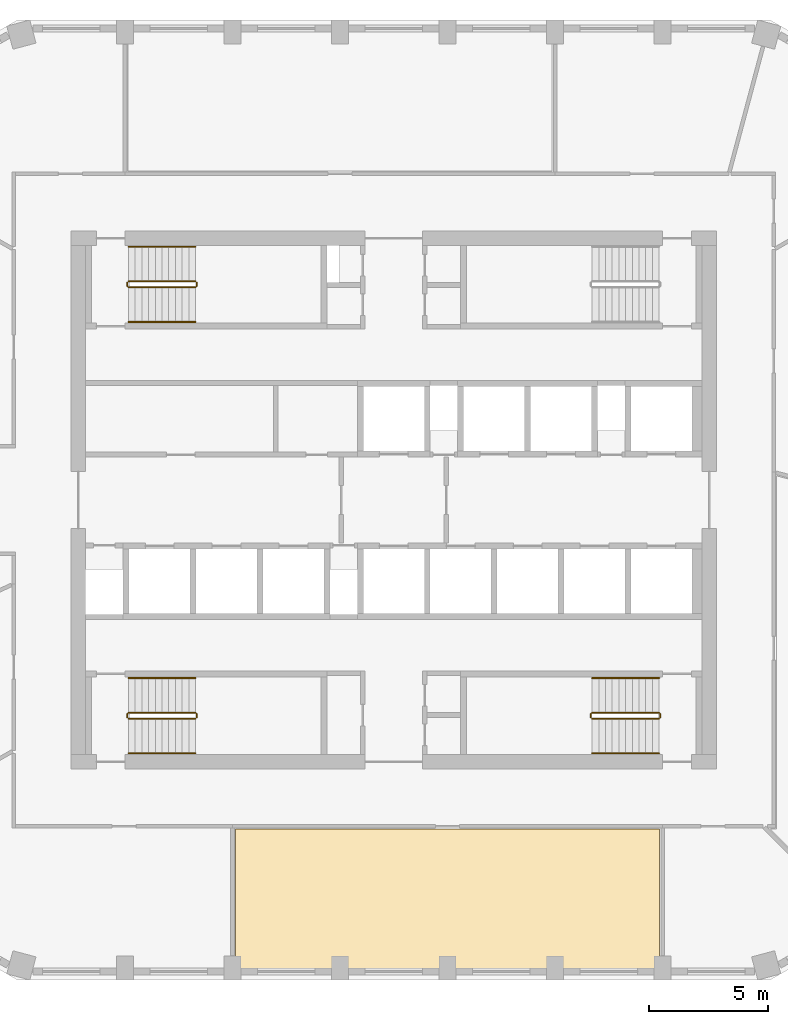
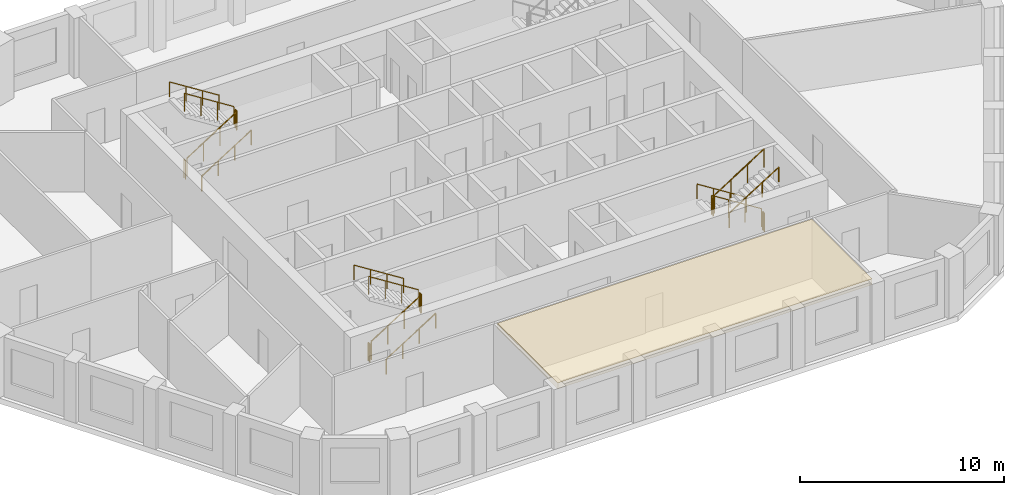
# One storey, part 8 of 10: 18 railings, 1 covering.
"""IFC4 building model written with IfcOpenShell, lengths in metres."""

from ifc_helpers import new_model, si_unit, direction, frame, origin, origin_2d, place, context, subcontext, project, spatial, polyline, circle, outline, extrude, material, layer, layer_set, type_object, element, save


model = new_model("IFC4")

# Units and contexts
model_context = context("Model", 3, precision=1e-05, world=origin(), true_north=direction((0.0, 1.0)))
body_context = subcontext(model_context, "Body", "Model", "MODEL_VIEW")
ifc_project = project(units=[si_unit("LENGTHUNIT", "METRE"), si_unit("AREAUNIT", "SQUARE_METRE"), si_unit("VOLUMEUNIT", "CUBIC_METRE"), si_unit("PLANEANGLEUNIT", "RADIAN"), si_unit("MASSUNIT", "GRAM", prefix="KILO")], contexts=[model_context])

# Site, building, storey
site_placement = place(None, origin())
site = spatial("IfcSite", under=ifc_project, at=site_placement, CompositionType="ELEMENT")
building_placement = place(site_placement, origin())
building = spatial("IfcBuilding", under=site, at=building_placement, Name="Dhurran Vertical Campus", CompositionType="ELEMENT")
storey_placement = place(building_placement, frame((0.0, 0.0, 239.10009765625)))
storey = spatial("IfcBuildingStorey", under=building, at=storey_placement, Name="L59", CompositionType="ELEMENT", Elevation=239.10009765625)

# Railings
ifc_material_1 = material(Name="Stainless steel balustrade", Category="steel")
railing_type_1 = type_object("IfcRailingType", Name="co-RL-GUARD-1100", PredefinedType="GUARDRAIL", material=ifc_material_1)
railing_1_placement = place(storey_placement, frame((-11.10009765625, 8.89990234375, 0.17724609375)))
element("IfcRailing", 1, at=railing_1_placement, inside=storey, type_object=railing_type_1, Name="L59 ST1 stair guard 1", PredefinedType="GUARDRAIL", context=body_context, shape_type="SweptSolid", body=[
    extrude(circle(Radius=0.02392578125, at=origin_2d()), frame((0.0, 0.0, 1.076171875), z_axis=(0.844908973607, 0.0, 0.534910110503), x_axis=(0.0, 1.0, 0.0)), (0.0, 0.0, 1.0), 3.31396484375),
    extrude(circle(Radius=0.02099609375, at=origin_2d()), origin(), (0.0, 0.0, 1.0), 1.052001953125),
    extrude(circle(Radius=0.02099609375, at=origin_2d()), frame((0.933349609375, 0.0, 0.5908203125)), (0.0, 0.0, 1.0), 1.052001953125),
    extrude(circle(Radius=0.02099609375, at=origin_2d()), frame((1.86669921875, 0.0, 1.181884765625)), (0.0, 0.0, 1.0), 1.052001953125),
    extrude(circle(Radius=0.02099609375, at=origin_2d()), frame((2.800048828125, 0.0, 1.772705078125)), (0.0, 0.0, 1.0), 1.052001953125),
])
railing_2_placement = place(storey_placement, frame((-8.25, 8.949951171875, 1.949951171875)))
element("IfcRailing", 2, at=railing_2_placement, inside=storey, type_object=railing_type_1, Name="L59 ST1 stair guard 2", PredefinedType="GUARDRAIL", context=body_context, shape_type="SweptSolid", body=[
    extrude(circle(Radius=0.02392578125, at=origin_2d()), frame((0.0, 0.0, 1.076171875), z_axis=(0.0, 1.0, 0.0), x_axis=(-1.0, 0.0, 0.0)), (0.0, 0.0, 1.0), 0.150146484375),
    extrude(circle(Radius=0.02099609375, at=origin_2d()), origin(), (0.0, 0.0, 1.0), 1.052001953125),
    extrude(circle(Radius=0.02099609375, at=origin_2d()), frame((0.0, 0.150146484375, 0.0)), (0.0, 0.0, 1.0), 1.052001953125),
])
railing_3_placement = place(storey_placement, frame((-8.300048828125, 9.14990234375, 2.127197265625)))
element("IfcRailing", 3, at=railing_3_placement, inside=storey, type_object=railing_type_1, Name="L59 ST1 stair guard 3", PredefinedType="GUARDRAIL", context=body_context, shape_type="SweptSolid", body=[
    extrude(circle(Radius=0.02392578125, at=origin_2d()), frame((0.0, 0.0, 1.076171875), z_axis=(-0.844908973607, 0.0, 0.534910110503), x_axis=(0.0, -1.0, 0.0)), (0.0, 0.0, 1.0), 3.31396484375),
    extrude(circle(Radius=0.02099609375, at=origin_2d()), origin(), (0.0, 0.0, 1.0), 1.052001953125),
    extrude(circle(Radius=0.02099609375, at=origin_2d()), frame((-0.933349609375, 0.0, 0.5908203125)), (0.0, 0.0, 1.0), 1.052001953125),
    extrude(circle(Radius=0.02099609375, at=origin_2d()), frame((-1.86669921875, 0.0, 1.181884765625)), (0.0, 0.0, 1.0), 1.052001953125),
    extrude(circle(Radius=0.02099609375, at=origin_2d()), frame((-2.800048828125, 0.0, 1.772705078125)), (0.0, 0.0, 1.0), 1.052001953125),
])
railing_4_placement = place(storey_placement, frame((-11.14990234375, 8.949951171875, 0.0)))
element("IfcRailing", 4, at=railing_4_placement, inside=storey, type_object=railing_type_1, Name="L59 ST1 stair guard 4", PredefinedType="GUARDRAIL", context=body_context, shape_type="SweptSolid", body=[
    extrude(circle(Radius=0.02392578125, at=origin_2d()), frame((0.0, 0.0, 1.076171875), z_axis=(0.0, 1.0, 0.0), x_axis=(-1.0, 0.0, 0.0)), (0.0, 0.0, 1.0), 0.150146484375),
    extrude(circle(Radius=0.02099609375, at=origin_2d()), origin(), (0.0, 0.0, 1.0), 1.052001953125),
    extrude(circle(Radius=0.02099609375, at=origin_2d()), frame((0.0, 0.150146484375, 0.0)), (0.0, 0.0, 1.0), 1.052001953125),
])
railing_5_placement = place(storey_placement, frame((-11.10009765625, -9.14990234375, 0.17724609375)))
element("IfcRailing", 5, at=railing_5_placement, inside=storey, type_object=railing_type_1, Name="L59 ST3 stair guard 1", PredefinedType="GUARDRAIL", context=body_context, shape_type="SweptSolid", body=[
    extrude(circle(Radius=0.02392578125, at=origin_2d()), frame((0.0, 0.0, 1.076171875), z_axis=(0.844908973607, 0.0, 0.534910110503), x_axis=(0.0, 1.0, 0.0)), (0.0, 0.0, 1.0), 3.31396484375),
    extrude(circle(Radius=0.02099609375, at=origin_2d()), origin(), (0.0, 0.0, 1.0), 1.052001953125),
    extrude(circle(Radius=0.02099609375, at=origin_2d()), frame((0.933349609375, 0.0, 0.5908203125)), (0.0, 0.0, 1.0), 1.052001953125),
    extrude(circle(Radius=0.02099609375, at=origin_2d()), frame((1.86669921875, 0.0, 1.181884765625)), (0.0, 0.0, 1.0), 1.052001953125),
    extrude(circle(Radius=0.02099609375, at=origin_2d()), frame((2.800048828125, 0.0, 1.772705078125)), (0.0, 0.0, 1.0), 1.052001953125),
])
railing_6_placement = place(storey_placement, frame((-8.25, -9.10009765625, 1.949951171875)))
element("IfcRailing", 6, at=railing_6_placement, inside=storey, type_object=railing_type_1, Name="L59 ST3 stair guard 2", PredefinedType="GUARDRAIL", context=body_context, shape_type="SweptSolid", body=[
    extrude(circle(Radius=0.02392578125, at=origin_2d()), frame((0.0, 0.0, 1.076171875), z_axis=(0.0, 1.0, 0.0), x_axis=(-1.0, 0.0, 0.0)), (0.0, 0.0, 1.0), 0.150146484375),
    extrude(circle(Radius=0.02099609375, at=origin_2d()), origin(), (0.0, 0.0, 1.0), 1.052001953125),
    extrude(circle(Radius=0.02099609375, at=origin_2d()), frame((0.0, 0.150146484375, 0.0)), (0.0, 0.0, 1.0), 1.052001953125),
])
railing_7_placement = place(storey_placement, frame((-8.300048828125, -8.89990234375, 2.127197265625)))
element("IfcRailing", 7, at=railing_7_placement, inside=storey, type_object=railing_type_1, Name="L59 ST3 stair guard 3", PredefinedType="GUARDRAIL", context=body_context, shape_type="SweptSolid", body=[
    extrude(circle(Radius=0.02392578125, at=origin_2d()), frame((0.0, 0.0, 1.076171875), z_axis=(-0.844908973607, 0.0, 0.534910110503), x_axis=(0.0, -1.0, 0.0)), (0.0, 0.0, 1.0), 3.31396484375),
    extrude(circle(Radius=0.02099609375, at=origin_2d()), origin(), (0.0, 0.0, 1.0), 1.052001953125),
    extrude(circle(Radius=0.02099609375, at=origin_2d()), frame((-0.933349609375, 0.0, 0.5908203125)), (0.0, 0.0, 1.0), 1.052001953125),
    extrude(circle(Radius=0.02099609375, at=origin_2d()), frame((-1.86669921875, 0.0, 1.181884765625)), (0.0, 0.0, 1.0), 1.052001953125),
    extrude(circle(Radius=0.02099609375, at=origin_2d()), frame((-2.800048828125, 0.0, 1.772705078125)), (0.0, 0.0, 1.0), 1.052001953125),
])
railing_8_placement = place(storey_placement, frame((-11.14990234375, -9.10009765625, 0.0)))
element("IfcRailing", 8, at=railing_8_placement, inside=storey, type_object=railing_type_1, Name="L59 ST3 stair guard 4", PredefinedType="GUARDRAIL", context=body_context, shape_type="SweptSolid", body=[
    extrude(circle(Radius=0.02392578125, at=origin_2d()), frame((0.0, 0.0, 1.076171875), z_axis=(0.0, 1.0, 0.0), x_axis=(-1.0, 0.0, 0.0)), (0.0, 0.0, 1.0), 0.150146484375),
    extrude(circle(Radius=0.02099609375, at=origin_2d()), origin(), (0.0, 0.0, 1.0), 1.052001953125),
    extrude(circle(Radius=0.02099609375, at=origin_2d()), frame((0.0, 0.150146484375, 0.0)), (0.0, 0.0, 1.0), 1.052001953125),
])
railing_9_placement = place(storey_placement, frame((11.10009765625, -8.89990234375, 0.17724609375)))
element("IfcRailing", 9, at=railing_9_placement, inside=storey, type_object=railing_type_1, Name="L59 ST4 stair guard 1", PredefinedType="GUARDRAIL", context=body_context, shape_type="SweptSolid", body=[
    extrude(circle(Radius=0.02392578125, at=origin_2d()), frame((0.0, 0.0, 1.076171875), z_axis=(-0.844908973607, 0.0, 0.534910110503), x_axis=(0.0, -1.0, 0.0)), (0.0, 0.0, 1.0), 3.31396484375),
    extrude(circle(Radius=0.02099609375, at=origin_2d()), origin(), (0.0, 0.0, 1.0), 1.052001953125),
    extrude(circle(Radius=0.02099609375, at=origin_2d()), frame((-0.933349609375, 0.0, 0.5908203125)), (0.0, 0.0, 1.0), 1.052001953125),
    extrude(circle(Radius=0.02099609375, at=origin_2d()), frame((-1.86669921875, 0.0, 1.181884765625)), (0.0, 0.0, 1.0), 1.052001953125),
    extrude(circle(Radius=0.02099609375, at=origin_2d()), frame((-2.800048828125, 0.0, 1.772705078125)), (0.0, 0.0, 1.0), 1.052001953125),
])
railing_10_placement = place(storey_placement, frame((8.25, -8.949951171875, 1.949951171875)))
element("IfcRailing", 10, at=railing_10_placement, inside=storey, type_object=railing_type_1, Name="L59 ST4 stair guard 2", PredefinedType="GUARDRAIL", context=body_context, shape_type="SweptSolid", body=[
    extrude(circle(Radius=0.02392578125, at=origin_2d()), frame((0.0, 0.0, 1.076171875), z_axis=(0.0, -1.0, 0.0), x_axis=(1.0, 0.0, 0.0)), (0.0, 0.0, 1.0), 0.150146484375),
    extrude(circle(Radius=0.02099609375, at=origin_2d()), origin(), (0.0, 0.0, 1.0), 1.052001953125),
    extrude(circle(Radius=0.02099609375, at=origin_2d()), frame((0.0, -0.150146484375, 0.0)), (0.0, 0.0, 1.0), 1.052001953125),
])
railing_11_placement = place(storey_placement, frame((8.300048828125, -9.14990234375, 2.127197265625)))
element("IfcRailing", 11, at=railing_11_placement, inside=storey, type_object=railing_type_1, Name="L59 ST4 stair guard 3", PredefinedType="GUARDRAIL", context=body_context, shape_type="SweptSolid", body=[
    extrude(circle(Radius=0.02392578125, at=origin_2d()), frame((0.0, 0.0, 1.076171875), z_axis=(0.844908973607, 0.0, 0.534910110503), x_axis=(0.0, 1.0, 0.0)), (0.0, 0.0, 1.0), 3.31396484375),
    extrude(circle(Radius=0.02099609375, at=origin_2d()), origin(), (0.0, 0.0, 1.0), 1.052001953125),
    extrude(circle(Radius=0.02099609375, at=origin_2d()), frame((0.933349609375, 0.0, 0.5908203125)), (0.0, 0.0, 1.0), 1.052001953125),
    extrude(circle(Radius=0.02099609375, at=origin_2d()), frame((1.86669921875, 0.0, 1.181884765625)), (0.0, 0.0, 1.0), 1.052001953125),
    extrude(circle(Radius=0.02099609375, at=origin_2d()), frame((2.800048828125, 0.0, 1.772705078125)), (0.0, 0.0, 1.0), 1.052001953125),
])
railing_12_placement = place(storey_placement, frame((11.14990234375, -8.949951171875, 0.0)))
element("IfcRailing", 12, at=railing_12_placement, inside=storey, type_object=railing_type_1, Name="L59 ST4 stair guard 4", PredefinedType="GUARDRAIL", context=body_context, shape_type="SweptSolid", body=[
    extrude(circle(Radius=0.02392578125, at=origin_2d()), frame((0.0, 0.0, 1.076171875), z_axis=(0.0, -1.0, 0.0), x_axis=(1.0, 0.0, 0.0)), (0.0, 0.0, 1.0), 0.150146484375),
    extrude(circle(Radius=0.02099609375, at=origin_2d()), origin(), (0.0, 0.0, 1.0), 1.052001953125),
    extrude(circle(Radius=0.02099609375, at=origin_2d()), frame((0.0, -0.150146484375, 0.0)), (0.0, 0.0, 1.0), 1.052001953125),
])
ifc_material_2 = material(Name="Stainless steel handrail", Category="steel")
railing_type_2 = type_object("IfcRailingType", Name="co-RL-HANDRAIL-900", PredefinedType="HANDRAIL", material=ifc_material_2)
railing_13_placement = place(storey_placement, frame((-11.10009765625, 7.449951171875, 0.17724609375)))
element("IfcRailing", 13, at=railing_13_placement, inside=storey, type_object=railing_type_2, Name="L59 ST1 stair handrail 1", PredefinedType="HANDRAIL", context=body_context, shape_type="SweptSolid", body=[
    extrude(circle(Radius=0.02392578125, at=origin_2d()), frame((0.0, 0.0, 0.8759765625), z_axis=(0.844908973607, 0.0, 0.534910110503), x_axis=(0.0, 1.0, 0.0)), (0.0, 0.0, 1.0), 3.31396484375),
    extrude(circle(Radius=0.02099609375, at=origin_2d()), origin(), (0.0, 0.0, 1.0), 0.851806640625),
    extrude(circle(Radius=0.02099609375, at=origin_2d()), frame((0.933349609375, 0.0, 0.5908203125)), (0.0, 0.0, 1.0), 0.851806640625),
    extrude(circle(Radius=0.02099609375, at=origin_2d()), frame((1.86669921875, 0.0, 1.181884765625)), (0.0, 0.0, 1.0), 0.851806640625),
    extrude(circle(Radius=0.02099609375, at=origin_2d()), frame((2.800048828125, 0.0, 1.772705078125)), (0.0, 0.0, 1.0), 0.851806640625),
])
railing_14_placement = place(storey_placement, frame((-8.300048828125, 10.60009765625, 2.127197265625)))
element("IfcRailing", 14, at=railing_14_placement, inside=storey, type_object=railing_type_2, Name="L59 ST1 stair handrail 2", PredefinedType="HANDRAIL", context=body_context, shape_type="SweptSolid", body=[
    extrude(circle(Radius=0.02392578125, at=origin_2d()), frame((0.0, 0.0, 0.8759765625), z_axis=(-0.844908973607, 0.0, 0.534910110503), x_axis=(0.0, -1.0, 0.0)), (0.0, 0.0, 1.0), 3.31396484375),
    extrude(circle(Radius=0.02099609375, at=origin_2d()), origin(), (0.0, 0.0, 1.0), 0.851806640625),
    extrude(circle(Radius=0.02099609375, at=origin_2d()), frame((-0.933349609375, 0.0, 0.5908203125)), (0.0, 0.0, 1.0), 0.851806640625),
    extrude(circle(Radius=0.02099609375, at=origin_2d()), frame((-1.86669921875, 0.0, 1.181884765625)), (0.0, 0.0, 1.0), 0.851806640625),
    extrude(circle(Radius=0.02099609375, at=origin_2d()), frame((-2.800048828125, 0.0, 1.772705078125)), (0.0, 0.0, 1.0), 0.851806640625),
])
railing_15_placement = place(storey_placement, frame((-11.10009765625, -10.60009765625, 0.17724609375)))
element("IfcRailing", 15, at=railing_15_placement, inside=storey, type_object=railing_type_2, Name="L59 ST3 stair handrail 1", PredefinedType="HANDRAIL", context=body_context, shape_type="SweptSolid", body=[
    extrude(circle(Radius=0.02392578125, at=origin_2d()), frame((0.0, 0.0, 0.8759765625), z_axis=(0.844908973607, 0.0, 0.534910110503), x_axis=(0.0, 1.0, 0.0)), (0.0, 0.0, 1.0), 3.31396484375),
    extrude(circle(Radius=0.02099609375, at=origin_2d()), origin(), (0.0, 0.0, 1.0), 0.851806640625),
    extrude(circle(Radius=0.02099609375, at=origin_2d()), frame((0.933349609375, 0.0, 0.5908203125)), (0.0, 0.0, 1.0), 0.851806640625),
    extrude(circle(Radius=0.02099609375, at=origin_2d()), frame((1.86669921875, 0.0, 1.181884765625)), (0.0, 0.0, 1.0), 0.851806640625),
    extrude(circle(Radius=0.02099609375, at=origin_2d()), frame((2.800048828125, 0.0, 1.772705078125)), (0.0, 0.0, 1.0), 0.851806640625),
])
for number, where, name in (
    (16, (-8.300048828125, -7.449951171875, 2.127197265625), "L59 ST3 stair handrail 2"),
    (17, (11.10009765625, -7.449951171875, 0.17724609375), "L59 ST4 stair handrail 1"),
):
    element("IfcRailing", number, at=place(storey_placement, frame(where)), inside=storey, type_object=railing_type_2, Name=name, PredefinedType="HANDRAIL", context=body_context, shape_type="SweptSolid", body=[
        extrude(circle(Radius=0.02392578125, at=origin_2d()), frame((0.0, 0.0, 0.8759765625), z_axis=(-0.844908973607, 0.0, 0.534910110503), x_axis=(0.0, -1.0, 0.0)), (0.0, 0.0, 1.0), 3.31396484375),
        extrude(circle(Radius=0.02099609375, at=origin_2d()), origin(), (0.0, 0.0, 1.0), 0.851806640625),
        extrude(circle(Radius=0.02099609375, at=origin_2d()), frame((-0.933349609375, 0.0, 0.5908203125)), (0.0, 0.0, 1.0), 0.851806640625),
        extrude(circle(Radius=0.02099609375, at=origin_2d()), frame((-1.86669921875, 0.0, 1.181884765625)), (0.0, 0.0, 1.0), 0.851806640625),
        extrude(circle(Radius=0.02099609375, at=origin_2d()), frame((-2.800048828125, 0.0, 1.772705078125)), (0.0, 0.0, 1.0), 0.851806640625),
    ])
railing_16_placement = place(storey_placement, frame((8.300048828125, -10.60009765625, 2.127197265625)))
element("IfcRailing", 18, at=railing_16_placement, inside=storey, type_object=railing_type_2, Name="L59 ST4 stair handrail 2", PredefinedType="HANDRAIL", context=body_context, shape_type="SweptSolid", body=[
    extrude(circle(Radius=0.02392578125, at=origin_2d()), frame((0.0, 0.0, 0.8759765625), z_axis=(0.844908973607, 0.0, 0.534910110503), x_axis=(0.0, 1.0, 0.0)), (0.0, 0.0, 1.0), 3.31396484375),
    extrude(circle(Radius=0.02099609375, at=origin_2d()), origin(), (0.0, 0.0, 1.0), 0.851806640625),
    extrude(circle(Radius=0.02099609375, at=origin_2d()), frame((0.933349609375, 0.0, 0.5908203125)), (0.0, 0.0, 1.0), 0.851806640625),
    extrude(circle(Radius=0.02099609375, at=origin_2d()), frame((1.86669921875, 0.0, 1.181884765625)), (0.0, 0.0, 1.0), 0.851806640625),
    extrude(circle(Radius=0.02099609375, at=origin_2d()), frame((2.800048828125, 0.0, 1.772705078125)), (0.0, 0.0, 1.0), 0.851806640625),
])

# Covering
ifc_material_3 = material(Name="Mineral fibre ceiling tiles on suspended grid")
ifc_layer = layer(ifc_material_3, 0.35009765625)
ifc_layer_set = layer_set([ifc_layer], Name="Mineral fibre ceiling tiles on suspended grid")
covering_type = type_object("IfcCoveringType", Name="fl-CE-350 suspended ceiling", PredefinedType="CEILING", material=ifc_layer_set)
covering_placement = place(storey_placement, frame((0.0, 0.0, 3.224853515625)))
element("IfcCovering", 19, at=covering_placement, inside=storey, type_object=covering_type, Name="Ceiling 59-10", PredefinedType="CEILING", context=body_context, shape_type="SweptSolid", body=[
    extrude(outline(polyline([(11.1298828125, -19.66796875), (-6.6298828125, -19.66796875), (-6.6298828125, -13.77001953125), (11.1298828125, -13.77001953125), (11.1298828125, -19.66796875)])), origin(), (0.0, 0.0, 1.0), 0.35009765625),
])

save(model, "model.ifc")
